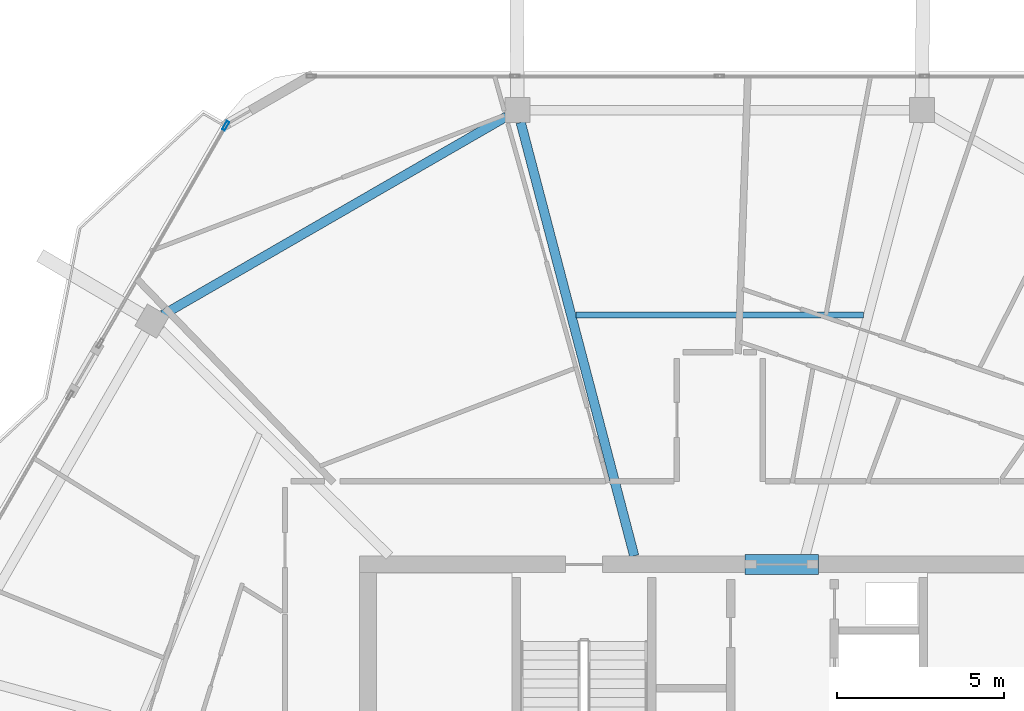
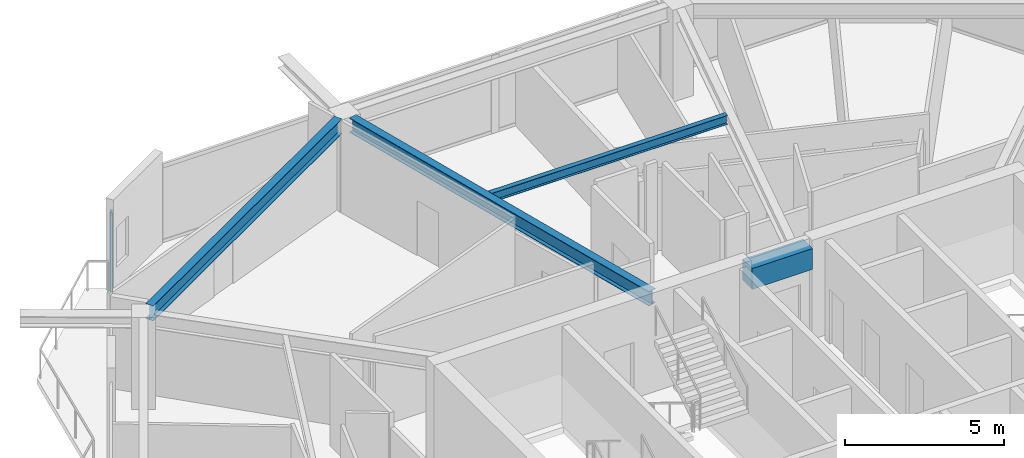
# One storey, part 9 of 23: 4 beams, 1 member, 1 element without a shape of its own.
"""IFC4 building model written with IfcOpenShell, lengths in metres."""

from ifc_helpers import new_model, si_unit, direction, frame, origin, origin_2d, place, context, subcontext, project, spatial, rectangle, hollow_rectangle, i_section, extrude, material, material_profile, profile_set, type_object, element, aggregate, save


model = new_model("IFC4")

# Units and contexts
model_context = context("Model", 3, precision=1e-05, world=origin(), true_north=direction((0.0, 1.0)))
body_context = subcontext(model_context, "Body", "Model", "MODEL_VIEW")
ifc_project = project(units=[si_unit("LENGTHUNIT", "METRE"), si_unit("AREAUNIT", "SQUARE_METRE"), si_unit("VOLUMEUNIT", "CUBIC_METRE"), si_unit("PLANEANGLEUNIT", "RADIAN"), si_unit("MASSUNIT", "GRAM", prefix="KILO")], contexts=[model_context])

# Site, building, storey
site_placement = place(None, origin())
site = spatial("IfcSite", under=ifc_project, at=site_placement, CompositionType="ELEMENT")
building_placement = place(site_placement, origin())
building = spatial("IfcBuilding", under=site, at=building_placement, Name="Zuhravey Tower", CompositionType="ELEMENT")
storey_placement = place(building_placement, frame((0.0, 0.0, 350.0)))
storey = spatial("IfcBuildingStorey", under=building, at=storey_placement, Name="L89", CompositionType="ELEMENT", Elevation=350.0)

# Beam
ifc_material_1 = material(Name="Concrete C50/60", Category="concrete")
ifc_material_profile_1 = material_profile(ifc_material_1, rectangle(XDim=0.60009765625, YDim=0.800048828125, at=origin_2d()), Name="RC-600x800")
ifc_profile_set_1 = profile_set([ifc_material_profile_1], Name="Concrete C50/60")
beam_type_1 = type_object("IfcBeamType", Name="Core Coupling Beam RC600x800", PredefinedType="LINTEL", material=ifc_profile_set_1)
beam_1_placement = place(storey_placement, frame((36.751953125, 41.5, 3.1201171875), z_axis=(1.0, 0.0, 0.0), x_axis=(0.0, 1.0, 0.0)))
element("IfcBeam", 1, at=beam_1_placement, inside=storey, type_object=beam_type_1, Name="L89 CB2 BM-L89-CB-N", PredefinedType="LINTEL", context=body_context, shape_type="SweptSolid", body=[
    extrude(rectangle(XDim=0.60009765625, YDim=0.800048828125, at=origin_2d()), origin(), (0.0, 0.0, 1.0), 2.196044921875),
])

# Curtain wall, member
ifc_material_2 = material(Name="Thermally broken anodised aluminium", Category="aluminium")
curtain_wall_type = type_object("IfcCurtainWallType", Name="Zone 3-4 High-Rise Curtain Wall CW4", PredefinedType="NOTDEFINED", material=ifc_material_2)
curtain_wall_placement = place(storey_placement, origin())
curtain_wall = element("IfcCurtainWall", 2, at=curtain_wall_placement, inside=storey, type_object=curtain_wall_type, Name="L89 CW4 CW-L89-F3-2", PredefinedType="NOTDEFINED")
ifc_material_3 = material(Name="Anodised aluminium", Category="aluminium")
ifc_material_profile_2 = material_profile(ifc_material_3, hollow_rectangle(XDim=0.090087890625, YDim=0.284912109375, WallThickness=0.0048828125, at=origin_2d()), Name="ALU-RHS-90x285x5")
ifc_profile_set_2 = profile_set([ifc_material_profile_2], Name="Anodised aluminium")
member_type = type_object("IfcMemberType", Name="Curtain-Wall Mullion 90x180", PredefinedType="MULLION", material=ifc_profile_set_2)
member_placement = place(storey_placement, frame((21.248291015625, 54.59765625, 0.0), z_axis=(0.0, 0.0, 1.0), x_axis=(-0.866021933822, 0.500006010103, 0.0)))
member = element("IfcMember", 3, at=member_placement, type_object=member_type, Name="CW4 mullion 2", PredefinedType="MULLION", context=body_context, shape_type="SweptSolid", body=[
    extrude(hollow_rectangle(XDim=0.090087890625, YDim=0.284912109375, WallThickness=0.0048828125, at=origin_2d()), origin(), (0.0, 0.0, 1.0), 2.987060546875),
])
aggregate(curtain_wall, [member])

# Beams
ifc_material_4 = material(Name="Steel SM355", Category="steel")
ifc_material_profile_3 = material_profile(ifc_material_4, i_section(OverallWidth=0.280029296875, OverallDepth=0.580078125, WebThickness=0.011962890625, FlangeThickness=0.01904296875, at=origin_2d()), Name="H-580x280x12x19")
ifc_profile_set_3 = profile_set([ifc_material_profile_3], Name="Steel SM355")
beam_type_2 = type_object("IfcBeamType", Name="Perimeter Ring Beam H580x280", PredefinedType="BEAM", material=ifc_profile_set_3)
beam_2_placement = place(storey_placement, frame((29.634033203125, 54.875, 3.22998046875), z_axis=(-0.866030838723, -0.499990586292, 0.0), x_axis=(0.499990586292, -0.866030838723, 0.0)))
element("IfcBeam", 4, at=beam_2_placement, inside=storey, type_object=beam_type_2, Name="L89 PB4 BM-L89-PB-04", PredefinedType="BEAM", context=body_context, shape_type="SweptSolid", body=[
    extrude(i_section(OverallWidth=0.280029296875, OverallDepth=0.580078125, WebThickness=0.011962890625, FlangeThickness=0.01904296875, at=origin_2d()), origin(), (0.0, 0.0, 1.0), 11.848876953125),
])
ifc_material_profile_4 = material_profile(ifc_material_4, i_section(OverallWidth=0.280029296875, OverallDepth=0.550048828125, WebThickness=0.010986328125, FlangeThickness=0.01806640625, at=origin_2d()), Name="H-550x280x11x18")
ifc_profile_set_4 = profile_set([ifc_material_profile_4], Name="Steel SM355")
beam_type_3 = type_object("IfcBeamType", Name="Radial Primary Girder H550x280", PredefinedType="BEAM", material=ifc_profile_set_4)
beam_3_placement = place(storey_placement, frame((33.446533203125, 41.7529296875, 3.2451171875), z_axis=(-0.253282562653, 0.967392342049, 0.0), x_axis=(-0.967392342049, -0.253282562653, 0.0)))
element("IfcBeam", 5, at=beam_3_placement, inside=storey, type_object=beam_type_3, Name="L89 RG4 BM-L89-RAD-04", PredefinedType="BEAM", context=body_context, shape_type="SweptSolid", body=[
    extrude(i_section(OverallWidth=0.280029296875, OverallDepth=0.550048828125, WebThickness=0.010986328125, FlangeThickness=0.01806640625, at=origin_2d()), origin(), (0.0, 0.0, 1.0), 13.3818359375),
])
ifc_material_profile_5 = material_profile(ifc_material_4, i_section(OverallWidth=0.175048828125, OverallDepth=0.35009765625, WebThickness=0.007080078125, FlangeThickness=0.010986328125, at=origin_2d()), Name="H-350x175x7x11")
ifc_profile_set_5 = profile_set([ifc_material_profile_5], Name="Steel SM355")
beam_type_4 = type_object("IfcBeamType", Name="Secondary Floor Joist H350x175", PredefinedType="JOIST", material=ifc_profile_set_5)
beam_4_placement = place(storey_placement, frame((40.29150390625, 48.94091796875, 3.344970703125), z_axis=(-1.0, 0.0, 0.0), x_axis=(0.0, -1.0, 0.0)))
element("IfcBeam", 6, at=beam_4_placement, inside=storey, type_object=beam_type_4, Name="L89 SJ3 BM-L89-SJ-03-1", PredefinedType="JOIST", context=body_context, shape_type="SweptSolid", body=[
    extrude(i_section(OverallWidth=0.175048828125, OverallDepth=0.35009765625, WebThickness=0.007080078125, FlangeThickness=0.010986328125, at=origin_2d()), origin(), (0.0, 0.0, 1.0), 8.5830078125),
])

save(model, "model.ifc")
